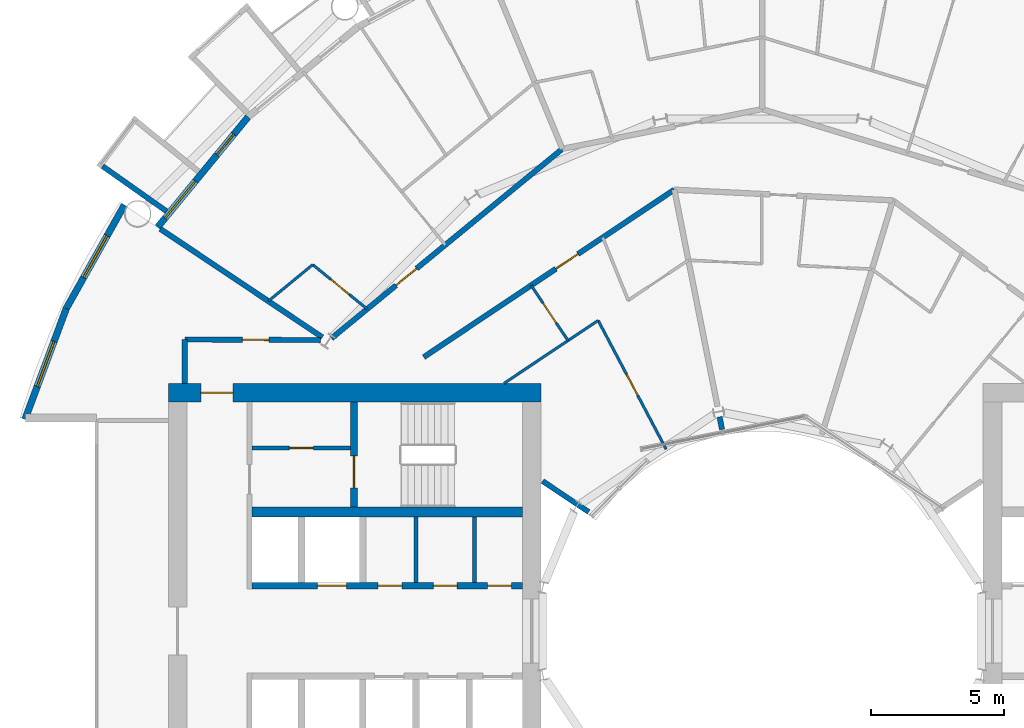
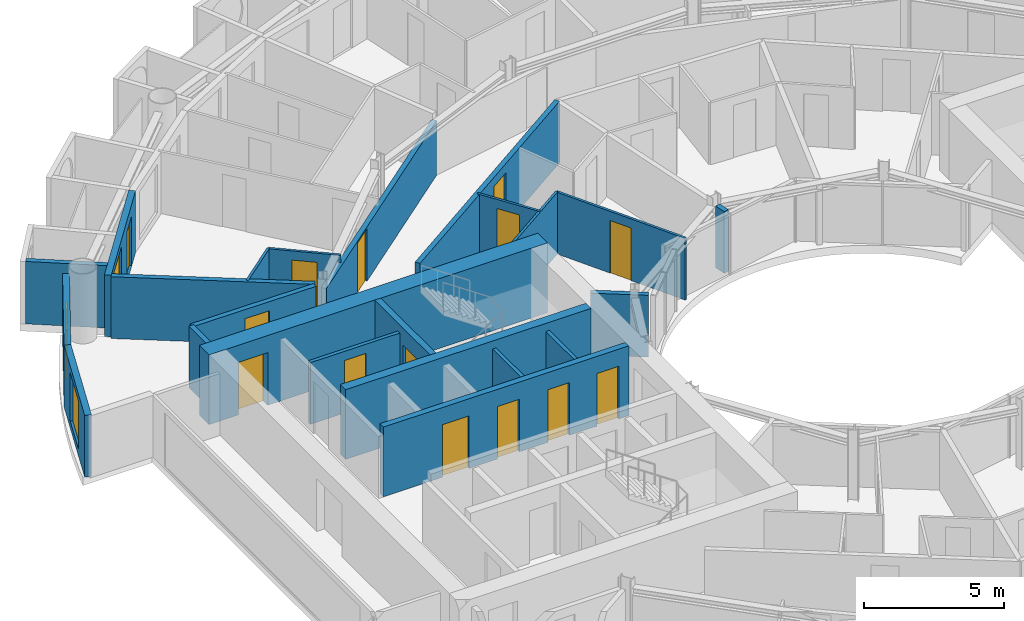
# One storey, part 18 of 26: 23 walls, 14 doors, 3 windows, 17 openings.
"""IFC4 building model written with IfcOpenShell, lengths in metres."""

import ifcopenshell
import ifcopenshell.guid

model = None  # the IFC model being written
_history = None  # IfcOwnerHistory: only IFC2X3 demands one
_inside = {}  # id of a spatial element -> (the spatial element, [elements in it])
_under = {}  # id of a project, library or spatial element -> (it, [spatial elements below it])
_declared = {}  # id of a project -> (the project, [libraries it declares])
_typed = {}  # id of a type object -> (the type object, [elements of that type])
_made_of = {}  # id of a material, layer set ... -> (it, [elements and type objects made of it])


def new_model(schema):
    """Start an empty IFC model of exactly this schema.

    Asked for "IFC4X3", IfcOpenShell would pick the latest addendum, in which some entities
    have other attributes; the version numbers below select the first issue.
    IFC2X3 requires an IfcOwnerHistory on every rooted entity: one is made here for all.
    """
    global model, _history
    if schema == "IFC4X3":
        model = ifcopenshell.file(schema_version=(4, 3, 0, 0))
    else:
        model = ifcopenshell.file(schema=schema)
    _inside.clear()
    _under.clear()
    _declared.clear()
    _typed.clear()
    _made_of.clear()
    _history = None
    if model.schema == "IFC2X3":
        org = make("IfcOrganization", Name="unknown")
        user = make(
            "IfcPersonAndOrganization",
            ThePerson=make("IfcPerson", FamilyName="unknown"),
            TheOrganization=org,
        )
        app = make(
            "IfcApplication",
            ApplicationDeveloper=org,
            Version="unknown",
            ApplicationFullName="unknown",
            ApplicationIdentifier="unknown",
        )
        _history = make(
            "IfcOwnerHistory",
            OwningUser=user,
            OwningApplication=app,
            ChangeAction="ADDED",
            CreationDate=0,
        )
    return model


def make(cls, **values):
    """One entity of the class cls with the attributes given. An attribute that is None is left unset."""
    return model.create_entity(
        cls, **{name: value for name, value in values.items() if value is not None}
    )


def rooted(cls, **values):
    """An entity with a GlobalId (a new one), such as an element, a storey or a relation."""
    return make(cls, GlobalId=ifcopenshell.guid.new(), OwnerHistory=_history, **values)


def si_unit(unit_type, name, prefix=None):
    """IfcSIUnit, for example si_unit("LENGTHUNIT", "METRE", prefix="MILLI")."""
    return make("IfcSIUnit", UnitType=unit_type, Prefix=prefix, Name=name)


def assignment(units):
    """IfcUnitAssignment: the units of a project."""
    return None if units is None else make("IfcUnitAssignment", Units=units)


def point(xyz):
    """IfcCartesianPoint."""
    return None if xyz is None else make("IfcCartesianPoint", Coordinates=xyz)


def direction(xyz):
    """IfcDirection."""
    return None if xyz is None else make("IfcDirection", DirectionRatios=xyz)


def frame(location, z_axis=None, x_axis=None):
    """IfcAxis2Placement3D, a coordinate frame: its origin and axes. An axis left out is left unset."""
    return make(
        "IfcAxis2Placement3D",
        Location=point(location),
        Axis=direction(z_axis),
        RefDirection=direction(x_axis),
    )


def frame_2d(location, x_axis=None):
    """IfcAxis2Placement2D, a coordinate frame in the plane: its origin and x axis."""
    return make(
        "IfcAxis2Placement2D", Location=point(location), RefDirection=direction(x_axis)
    )


def origin():
    """The frame at (0, 0, 0) with its axes left unset."""
    return frame((0.0, 0.0, 0.0))


def place(relative_to, where):
    """IfcLocalPlacement: puts the frame where relative to a parent placement (None: the world)."""
    return make(
        "IfcLocalPlacement", PlacementRelTo=relative_to, RelativePlacement=where
    )


def context(
    kind, dimensions, precision=None, world=None, true_north=None, identifier=None
):
    """IfcGeometricRepresentationContext, for example the 3D "Model" context."""
    return make(
        "IfcGeometricRepresentationContext",
        ContextIdentifier=identifier,
        ContextType=kind,
        CoordinateSpaceDimension=dimensions,
        Precision=precision,
        WorldCoordinateSystem=world,
        TrueNorth=true_north,
    )


def subcontext(parent, identifier, kind, view, scale=None):
    """IfcGeometricRepresentationSubContext, for example "Body" below "Model"."""
    return make(
        "IfcGeometricRepresentationSubContext",
        ContextIdentifier=identifier,
        ContextType=kind,
        ParentContext=parent,
        TargetScale=scale,
        TargetView=view,
    )


def project(units=None, contexts=None):
    """IfcProject with its units and contexts."""
    return rooted(
        "IfcProject",
        Name="project",
        RepresentationContexts=contexts,
        UnitsInContext=assignment(units),
    )


def spatial(cls, under=None, at=None, **own):
    """A site, building, storey or space (cls), placed at a placement, below another one or the project."""
    s = rooted(cls, ObjectPlacement=at, **own)
    if under is not None:
        _under.setdefault(under.id(), (under, []))[1].append(s)
    return s


def profile(cls, at=None, kind="AREA", **sizes):
    """A parametric profile (cls). Its sizes go by their IFC names, for example OverallWidth=200.0."""
    return make(cls, ProfileType=kind, Position=at, **sizes)


def rectangle(**sizes):
    """IfcRectangleProfileDef."""
    return profile("IfcRectangleProfileDef", **sizes)


def extrude(swept, where, along, depth):
    """IfcExtrudedAreaSolid: the profile swept, set in the frame where, extruded along a direction by depth."""
    return make(
        "IfcExtrudedAreaSolid",
        SweptArea=swept,
        Position=where,
        ExtrudedDirection=direction(along),
        Depth=depth,
    )


def shape(context_of_items, identifier, shape_type, items):
    """IfcShapeRepresentation: the items that make up one representation, for example the "Body"."""
    return make(
        "IfcShapeRepresentation",
        ContextOfItems=context_of_items,
        RepresentationIdentifier=identifier,
        RepresentationType=shape_type,
        Items=items,
    )


def material(Name=None, Category=None):
    """IfcMaterial."""
    return make("IfcMaterial", Name=Name, Category=Category)


def layer(
    of_material, thickness, ventilated=None, Name=None, Category=None, Priority=None
):
    """IfcMaterialLayer: one layer of a wall or slab, of a material (None: an air gap)."""
    return make(
        "IfcMaterialLayer",
        Material=of_material,
        LayerThickness=thickness,
        IsVentilated=ventilated,
        Name=Name,
        Category=Category,
        Priority=Priority,
    )


def layer_set(layers, Name=None):
    """IfcMaterialLayerSet."""
    return make("IfcMaterialLayerSet", MaterialLayers=layers, LayerSetName=Name)


def made_of(thing, what):
    """Note that an element or type object is made of a material, layer set ...; save() writes the relation."""
    if what is not None:
        _made_of.setdefault(what.id(), (what, []))[1].append(thing)
    return thing


def type_object(cls, material=None, **own):
    """A type object (cls), such as IfcWallType, which elements share."""
    return made_of(rooted(cls, **own), material)


def element(
    cls,
    number,
    at=None,
    inside=None,
    cuts=None,
    type_object=None,
    material=None,
    context=None,
    identifier="Body",
    shape_type=None,
    held_by="IfcProductDefinitionShape",
    body=None,
    shapes=None,
    **own,
):
    """One element of the class cls, such as IfcWall. Its Tag is "e" and its number.

    at: its placement. inside: the storey or other place that contains it. cuts: it is an
    opening in that element (IfcRelVoidsElement). A single representation is given by context,
    identifier, shape_type and body (its items); several are given by shapes. held_by: the class
    of the entity that holds the representations. save() writes the other relations.
    """
    e = rooted(cls, Tag="e%d" % number, ObjectPlacement=at, **own)
    if body is not None:
        shapes = [shape(context, identifier, shape_type, body)]
    if shapes is not None:
        e.Representation = make(held_by, Representations=shapes)
    if inside is not None:
        _inside.setdefault(inside.id(), (inside, []))[1].append(e)
    if cuts is not None:
        rooted(
            "IfcRelVoidsElement", RelatingBuildingElement=cuts, RelatedOpeningElement=e
        )
    if type_object is not None:
        _typed.setdefault(type_object.id(), (type_object, []))[1].append(e)
    return made_of(e, material)


def fill(opening, filler):
    """IfcRelFillsElement: the door or window that sits in an opening."""
    return rooted(
        "IfcRelFillsElement",
        RelatingOpeningElement=opening,
        RelatedBuildingElement=filler,
    )


def aggregate(whole, parts):
    """IfcRelAggregates: a whole, such as a stair, and the parts it consists of."""
    return rooted("IfcRelAggregates", RelatingObject=whole, RelatedObjects=parts)


def save(model, path):
    """Write the relations noted so far, then the file.

    IfcRelAggregates (storeys below a building ...), IfcRelContainedInSpatialStructure (elements
    in a storey), IfcRelDefinesByType, IfcRelAssociatesMaterial and IfcRelDeclares: one each for
    every whole, place, type object, material and project.
    """
    for whole, parts in _under.values():
        aggregate(whole, parts)
    for where, things in _inside.values():
        rooted(
            "IfcRelContainedInSpatialStructure",
            RelatedElements=things,
            RelatingStructure=where,
        )
    for kind, things in _typed.values():
        rooted("IfcRelDefinesByType", RelatedObjects=things, RelatingType=kind)
    for what, things in _made_of.values():
        rooted("IfcRelAssociatesMaterial", RelatedObjects=things, RelatingMaterial=what)
    for by, libraries in _declared.values():
        rooted("IfcRelDeclares", RelatingContext=by, RelatedDefinitions=libraries)
    model.write(path)


model = new_model("IFC4")

# Units and contexts
model_context = context("Model", 3, precision=1e-05, world=origin(), true_north=direction((0.0, 1.0)))
body_context = subcontext(model_context, "Body", "Model", "MODEL_VIEW")
ifc_project = project(units=[si_unit("LENGTHUNIT", "METRE"), si_unit("AREAUNIT", "SQUARE_METRE"), si_unit("VOLUMEUNIT", "CUBIC_METRE"), si_unit("PLANEANGLEUNIT", "RADIAN"), si_unit("MASSUNIT", "GRAM", prefix="KILO")], contexts=[model_context])

# Site, building, storey
site_placement = place(None, origin())
site = spatial("IfcSite", under=ifc_project, at=site_placement, CompositionType="ELEMENT")
building_placement = place(site_placement, origin())
building = spatial("IfcBuilding", under=site, at=building_placement, Name="Maasbend Ring Residences", CompositionType="ELEMENT")
storey_placement = place(building_placement, frame((0.0, 0.0, 88.0)))
storey = spatial("IfcBuildingStorey", under=building, at=storey_placement, Name="L25", CompositionType="ELEMENT", Elevation=88.0)

# Wall, openings, doors
ifc_material_1 = material(Name="Concrete C70/85", Category="concrete")
ifc_layer_1 = layer(ifc_material_1, 0.25)
ifc_layer_set_1 = layer_set([ifc_layer_1], Name="Concrete C70/85")
wall_type_1 = type_object("IfcWallType", Name="CORE WALL 250 C70/85", PredefinedType="SHEAR", material=ifc_layer_set_1)
wall_1_placement = place(storey_placement, frame((-19.14990234375, 1.699951171875, 0.0), z_axis=(0.0, 0.0, 1.0), x_axis=(1.0, 0.0, 0.0)))
wall_1 = element("IfcWall", 1, at=wall_1_placement, inside=storey, type_object=wall_type_1, Name="L25 core W wall SPS", PredefinedType="SHEAR", context=body_context, shape_type="SweptSolid", body=[
    extrude(rectangle(XDim=10.14990234375, YDim=0.25, at=frame_2d((5.074951171875, 0.0))), origin(), (0.0, 0.0, 1.0), 3.050048828125),
])
opening_1_placement = place(wall_1_placement, frame((2.449951171875, 0.0, 0.0)))
opening_1 = element("IfcOpeningElement", 2, at=opening_1_placement, cuts=wall_1, Name="Opening LD-W2505", PredefinedType="OPENING", context=body_context, shape_type="SweptSolid", body=[
    extrude(rectangle(XDim=1.10009765625, YDim=2.300048828125, at=frame_2d((0.550048828125, 1.14990234375))), frame((0.0, 0.135009765625, 0.0), z_axis=(0.0, -1.0, 0.0), x_axis=(1.0, 0.0, 0.0)), (0.0, 0.0, 1.0), 0.27001953125),
])
opening_2_placement = place(wall_1_placement, frame((8.83740234375, 0.0, 0.0)))
opening_2 = element("IfcOpeningElement", 3, at=opening_2_placement, cuts=wall_1, Name="Opening D-W2506", PredefinedType="OPENING", context=body_context, shape_type="SweptSolid", body=[
    extrude(rectangle(XDim=0.89990234375, YDim=2.300048828125, at=frame_2d((0.449951171875, 1.14990234375))), frame((0.0, 0.135009765625, 0.0), z_axis=(0.0, -1.0, 0.0), x_axis=(1.0, 0.0, 0.0)), (0.0, 0.0, 1.0), 0.27001953125),
])
opening_3_placement = place(wall_1_placement, frame((6.800048828125, 0.0, 0.0)))
opening_3 = element("IfcOpeningElement", 4, at=opening_3_placement, cuts=wall_1, Name="Opening D-W2507", PredefinedType="OPENING", context=body_context, shape_type="SweptSolid", body=[
    extrude(rectangle(XDim=0.89990234375, YDim=2.300048828125, at=frame_2d((0.449951171875, 1.14990234375))), frame((0.0, 0.135009765625, 0.0), z_axis=(0.0, -1.0, 0.0), x_axis=(1.0, 0.0, 0.0)), (0.0, 0.0, 1.0), 0.27001953125),
])
opening_4_placement = place(wall_1_placement, frame((4.72509765625, 0.0, 0.0)))
opening_4 = element("IfcOpeningElement", 5, at=opening_4_placement, cuts=wall_1, Name="Opening D-W2508", PredefinedType="OPENING", context=body_context, shape_type="SweptSolid", body=[
    extrude(rectangle(XDim=0.89990234375, YDim=2.300048828125, at=frame_2d((0.449951171875, 1.14990234375))), frame((0.0, 0.135009765625, 0.0), z_axis=(0.0, -1.0, 0.0), x_axis=(1.0, 0.0, 0.0)), (0.0, 0.0, 1.0), 0.27001953125),
])
ifc_material_2 = material(Name="Stainless steel 316", Category="steel")
door_type_1 = type_object("IfcDoorType", Name="LANDING DOOR 1100 X 2300 FD60", OperationType="DOUBLE_DOOR_SLIDING", PredefinedType="DOOR", material=ifc_material_2)
door_1_placement = place(opening_1_placement, origin())
door_1 = element("IfcDoor", 6, at=door_1_placement, inside=storey, type_object=door_type_1, Name="Landing door SV-W L25", OperationType="DOUBLE_DOOR_SLIDING", OverallHeight=2.300048828125, OverallWidth=1.10009765625, PredefinedType="DOOR", context=body_context, shape_type="SweptSolid", body=[
    extrude(rectangle(XDim=1.10009765625, YDim=2.300048828125, at=frame_2d((0.550048828125, 1.14990234375))), frame((0.0, 0.02490234375, 0.0), z_axis=(0.0, -1.0, 0.0), x_axis=(1.0, 0.0, 0.0)), (0.0, 0.0, 1.0), 0.050048828125),
])
fill(opening_1, door_1)
ifc_material_3 = material(Name="Steel, powder coated", Category="steel")
door_type_2 = type_object("IfcDoorType", Name="ROOM DOOR 900 X 2300 FD30S", OperationType="NOTDEFINED", PredefinedType="DOOR", material=ifc_material_3)
door_2_placement = place(opening_2_placement, origin())
door_2 = element("IfcDoor", 7, at=door_2_placement, inside=storey, type_object=door_type_2, Name="Room door L25", OperationType="SINGLE_SWING_LEFT", OverallHeight=2.300048828125, OverallWidth=0.89990234375, PredefinedType="DOOR", context=body_context, shape_type="SweptSolid", body=[
    extrude(rectangle(XDim=0.89990234375, YDim=2.300048828125, at=frame_2d((0.449951171875, 1.14990234375))), frame((0.0, 0.02490234375, 0.0), z_axis=(0.0, -1.0, 0.0), x_axis=(1.0, 0.0, 0.0)), (0.0, 0.0, 1.0), 0.050048828125),
])
fill(opening_2, door_2)
door_3_placement = place(opening_3_placement, origin())
door_3 = element("IfcDoor", 8, at=door_3_placement, inside=storey, type_object=door_type_2, Name="Room door L25", OperationType="SINGLE_SWING_LEFT", OverallHeight=2.300048828125, OverallWidth=0.89990234375, PredefinedType="DOOR", context=body_context, shape_type="SweptSolid", body=[
    extrude(rectangle(XDim=0.89990234375, YDim=2.300048828125, at=frame_2d((0.449951171875, 1.14990234375))), frame((0.0, 0.02490234375, 0.0), z_axis=(0.0, -1.0, 0.0), x_axis=(1.0, 0.0, 0.0)), (0.0, 0.0, 1.0), 0.050048828125),
])
fill(opening_3, door_3)
door_4_placement = place(opening_4_placement, origin())
door_4 = element("IfcDoor", 9, at=door_4_placement, inside=storey, type_object=door_type_2, Name="Room door L25", OperationType="SINGLE_SWING_LEFT", OverallHeight=2.300048828125, OverallWidth=0.89990234375, PredefinedType="DOOR", context=body_context, shape_type="SweptSolid", body=[
    extrude(rectangle(XDim=0.89990234375, YDim=2.300048828125, at=frame_2d((0.449951171875, 1.14990234375))), frame((0.0, 0.02490234375, 0.0), z_axis=(0.0, -1.0, 0.0), x_axis=(1.0, 0.0, 0.0)), (0.0, 0.0, 1.0), 0.050048828125),
])
fill(opening_4, door_4)

# Wall, opening, door
wall_2_placement = place(storey_placement, frame((-15.324951171875, 8.60009765625, 0.0), z_axis=(0.0, 0.0, 1.0), x_axis=(0.0, -1.0, 0.0)))
wall_2 = element("IfcWall", 10, at=wall_2_placement, inside=storey, type_object=wall_type_1, Name="L25 core W wall STES", PredefinedType="SHEAR", context=body_context, shape_type="SweptSolid", body=[
    extrude(rectangle(XDim=3.9501953125, YDim=0.25, at=frame_2d((1.97509765625, 0.0))), origin(), (0.0, 0.0, 1.0), 3.050048828125),
])
opening_5_placement = place(wall_2_placement, frame((2.02490234375, 0.0, 0.0)))
opening_5 = element("IfcOpeningElement", 11, at=opening_5_placement, cuts=wall_2, Name="Opening D-W2511", PredefinedType="OPENING", context=body_context, shape_type="SweptSolid", body=[
    extrude(rectangle(XDim=1.199951171875, YDim=2.300048828125, at=frame_2d((0.60009765625, 1.14990234375))), frame((0.0, 0.135009765625, 0.0), z_axis=(0.0, -1.0, 0.0), x_axis=(1.0, 0.0, 0.0)), (0.0, 0.0, 1.0), 0.27001953125),
])
ifc_material_4 = material(Name="Steel, powder coated", Category="steel")
door_type_3 = type_object("IfcDoorType", Name="STAIR DOOR 1200 X 2300 FD60", OperationType="NOTDEFINED", PredefinedType="DOOR", material=ifc_material_4)
door_5_placement = place(opening_5_placement, origin())
door_5 = element("IfcDoor", 12, at=door_5_placement, inside=storey, type_object=door_type_3, Name="Stair door ST-W L25", OperationType="SINGLE_SWING_LEFT", OverallHeight=2.300048828125, OverallWidth=1.199951171875, PredefinedType="DOOR", context=body_context, shape_type="SweptSolid", body=[
    extrude(rectangle(XDim=1.199951171875, YDim=2.300048828125, at=frame_2d((0.60009765625, 1.14990234375))), frame((0.0, 0.02490234375, 0.0), z_axis=(0.0, -1.0, 0.0), x_axis=(1.0, 0.0, 0.0)), (0.0, 0.0, 1.0), 0.050048828125),
])
fill(opening_5, door_5)

# Wall
ifc_material_5 = material(Name="Concrete C70/85", Category="concrete")
ifc_layer_2 = layer(ifc_material_5, 0.375)
ifc_layer_set_2 = layer_set([ifc_layer_2], Name="Concrete C70/85")
wall_type_2 = type_object("IfcWallType", Name="CORE WALL 375 C70/85", PredefinedType="SHEAR", material=ifc_layer_set_2)
wall_3_placement = place(storey_placement, frame((-9.0, 4.46240234375, 0.0), z_axis=(0.0, 0.0, 1.0), x_axis=(-1.0, 0.0, 0.0)))
element("IfcWall", 13, at=wall_3_placement, inside=storey, type_object=wall_type_2, Name="L25 core W wall BS", PredefinedType="SHEAR", context=body_context, shape_type="SweptSolid", body=[
    extrude(rectangle(XDim=10.14990234375, YDim=0.375, at=frame_2d((5.074951171875, 0.0))), origin(), (0.0, 0.0, 1.0), 3.050048828125),
])

# Wall, opening, door
ifc_material_6 = material(Name="Concrete C70/85", Category="concrete")
ifc_layer_3 = layer(ifc_material_6, 0.699951171875)
ifc_layer_set_3 = layer_set([ifc_layer_3], Name="Concrete C70/85")
wall_type_3 = type_object("IfcWallType", Name="CORE WALL 700 C70/85", PredefinedType="SHEAR", material=ifc_layer_set_3)
wall_4_placement = place(storey_placement, frame((-8.300048828125, 8.949951171875, 0.0), z_axis=(0.0, 0.0, 1.0), x_axis=(-1.0, 0.0, 0.0)))
wall_4 = element("IfcWall", 14, at=wall_4_placement, inside=storey, type_object=wall_type_3, Name="L25 core W wall PS", PredefinedType="SHEAR", context=body_context, shape_type="SweptSolid", body=[
    extrude(rectangle(XDim=14.0, YDim=0.699951171875, at=frame_2d((7.0, 0.0))), origin(), (0.0, 0.0, 1.0), 3.050048828125),
])
opening_6_placement = place(wall_4_placement, frame((11.574951171875, 0.0, 0.0)))
opening_6 = element("IfcOpeningElement", 15, at=opening_6_placement, cuts=wall_4, Name="Opening D-W2515", PredefinedType="OPENING", context=body_context, shape_type="SweptSolid", body=[
    extrude(rectangle(XDim=1.199951171875, YDim=2.300048828125, at=frame_2d((0.60009765625, 1.14990234375))), frame((0.0, 0.35986328125, 0.0), z_axis=(0.0, -1.0, 0.0), x_axis=(1.0, 0.0, 0.0)), (0.0, 0.0, 1.0), 0.719970703125),
])
ifc_material_7 = material(Name="Steel, powder coated", Category="steel")
door_type_4 = type_object("IfcDoorType", Name="CORRIDOR DOOR 1200 X 2300 FD30S", OperationType="NOTDEFINED", PredefinedType="DOOR", material=ifc_material_7)
door_6_placement = place(opening_6_placement, origin())
door_6 = element("IfcDoor", 16, at=door_6_placement, inside=storey, type_object=door_type_4, Name="Corridor door L25", OperationType="SINGLE_SWING_LEFT", OverallHeight=2.300048828125, OverallWidth=1.199951171875, PredefinedType="DOOR", context=body_context, shape_type="SweptSolid", body=[
    extrude(rectangle(XDim=1.199951171875, YDim=2.300048828125, at=frame_2d((0.60009765625, 1.14990234375))), frame((0.0, 0.02490234375, 0.0), z_axis=(0.0, -1.0, 0.0), x_axis=(1.0, 0.0, 0.0)), (0.0, 0.0, 1.0), 0.050048828125),
])
fill(opening_6, door_6)

ifc_material_8 = material(Name="Concrete C30/37", Category="concrete")
ifc_layer_4 = layer(ifc_material_8, 0.199951171875)
ifc_layer_set_4 = layer_set([ifc_layer_4], Name="Concrete C30/37")
wall_type_4 = type_object("IfcWallType", Name="CORRIDOR WALL 200 CONCRETE", PredefinedType="PARTITIONING", material=ifc_layer_set_4)
wall_5_placement = place(storey_placement, frame((-21.675048828125, 10.949951171875, 0.0), z_axis=(0.0, 0.0, 1.0), x_axis=(0.999988944514, -0.004702217579, 0.0)))
wall_5 = element("IfcWall", 17, at=wall_5_placement, inside=storey, type_object=wall_type_4, Name="U-L25-w088", PredefinedType="PARTITIONING", context=body_context, shape_type="SweptSolid", body=[
    extrude(rectangle(XDim=5.088134765625, YDim=0.199951171875, at=frame_2d((2.5439453125, 0.0))), origin(), (0.0, 0.0, 1.0), 2.699951171875),
])
opening_7_placement = place(wall_5_placement, frame((2.162109375, 0.0, 0.0)))
opening_7 = element("IfcOpeningElement", 18, at=opening_7_placement, cuts=wall_5, Name="Opening D-2564", PredefinedType="OPENING", context=body_context, shape_type="SweptSolid", body=[
    extrude(rectangle(XDim=1.0, YDim=2.300048828125, at=frame_2d((0.5, 1.14990234375))), frame((0.0, 0.10986328125, 0.0), z_axis=(0.0, -1.0, 0.0), x_axis=(1.0, 0.0, 0.0)), (0.0, 0.0, 1.0), 0.219970703125),
])
ifc_material_9 = material(Name="Timber, painted", Category="wood")
door_type_5 = type_object("IfcDoorType", Name="ROOM DOOR 1000 X 2300", OperationType="NOTDEFINED", PredefinedType="DOOR", material=ifc_material_9)
door_7_placement = place(opening_7_placement, origin())
door_7 = element("IfcDoor", 19, at=door_7_placement, inside=storey, type_object=door_type_5, Name="D-2564", OperationType="SINGLE_SWING_RIGHT", OverallHeight=2.300048828125, OverallWidth=1.0, PredefinedType="DOOR", context=body_context, shape_type="SweptSolid", body=[
    extrude(rectangle(XDim=1.0, YDim=2.300048828125, at=frame_2d((0.5, 1.14990234375))), frame((0.0, 0.02490234375, 0.0), z_axis=(0.0, -1.0, 0.0), x_axis=(1.0, 0.0, 0.0)), (0.0, 0.0, 1.0), 0.050048828125),
])
fill(opening_7, door_7)

wall_6_placement = place(storey_placement, frame((-12.7080078125, 10.285888671875, 0.0), z_axis=(0.0, 0.0, 1.0), x_axis=(0.831405725802, 0.555665834026, 0.0)))
wall_6 = element("IfcWall", 20, at=wall_6_placement, inside=storey, type_object=wall_type_4, Name="U-L25-w095", PredefinedType="PARTITIONING", context=body_context, shape_type="SweptSolid", body=[
    extrude(rectangle(XDim=11.314453125, YDim=0.199951171875, at=frame_2d((5.6572265625, 0.0))), origin(), (0.0, 0.0, 1.0), 2.699951171875),
])
opening_8_placement = place(wall_6_placement, frame((5.968994140625, 0.0, 0.0)))
opening_8 = element("IfcOpeningElement", 21, at=opening_8_placement, cuts=wall_6, Name="Opening D-2528", PredefinedType="OPENING", context=body_context, shape_type="SweptSolid", body=[
    extrude(rectangle(XDim=1.0, YDim=2.300048828125, at=frame_2d((0.5, 1.14990234375))), frame((0.0, 0.10986328125, 0.0), z_axis=(0.0, -1.0, 0.0), x_axis=(1.0, 0.0, 0.0)), (0.0, 0.0, 1.0), 0.219970703125),
])
ifc_material_10 = material(Name="Timber, fire-rated, painted", Category="wood")
door_type_6 = type_object("IfcDoorType", Name="FLAT ENTRANCE DOOR 1000 X 2300 FIRE-RATED", OperationType="NOTDEFINED", PredefinedType="DOOR", material=ifc_material_10)
door_8_placement = place(opening_8_placement, origin())
door_8 = element("IfcDoor", 22, at=door_8_placement, inside=storey, type_object=door_type_6, Name="D-2528", OperationType="SINGLE_SWING_RIGHT", OverallHeight=2.300048828125, OverallWidth=1.0, PredefinedType="DOOR", context=body_context, shape_type="SweptSolid", body=[
    extrude(rectangle(XDim=1.0, YDim=2.300048828125, at=frame_2d((0.5, 1.14990234375))), frame((0.0, 0.02490234375, 0.0), z_axis=(0.0, -1.0, 0.0), x_axis=(1.0, 0.0, 0.0)), (0.0, 0.0, 1.0), 0.050048828125),
])
fill(opening_8, door_8)

wall_7_placement = place(storey_placement, frame((-16.173095703125, 10.990966796875, 0.0), z_axis=(0.0, 0.0, 1.0), x_axis=(0.773049018445, 0.634346289562, 0.0)))
wall_7 = element("IfcWall", 23, at=wall_7_placement, inside=storey, type_object=wall_type_4, Name="U-L25-w099", PredefinedType="PARTITIONING", context=body_context, shape_type="SweptSolid", body=[
    extrude(rectangle(XDim=11.21923828125, YDim=0.199951171875, at=frame_2d((5.609619140625, 0.0))), origin(), (0.0, 0.0, 1.0), 2.3798828125),
])
opening_9_placement = place(wall_7_placement, frame((3.135009765625, 0.0, 0.0)))
opening_9 = element("IfcOpeningElement", 24, at=opening_9_placement, cuts=wall_7, Name="Opening D-2515", PredefinedType="OPENING", context=body_context, shape_type="SweptSolid", body=[
    extrude(rectangle(XDim=1.0, YDim=2.300048828125, at=frame_2d((0.5, 1.14990234375))), frame((0.0, 0.10986328125, 0.0), z_axis=(0.0, -1.0, 0.0), x_axis=(1.0, 0.0, 0.0)), (0.0, 0.0, 1.0), 0.219970703125),
])
door_9_placement = place(opening_9_placement, origin())
door_9 = element("IfcDoor", 25, at=door_9_placement, inside=storey, type_object=door_type_6, Name="D-2515", OperationType="SINGLE_SWING_LEFT", OverallHeight=2.300048828125, OverallWidth=1.0, PredefinedType="DOOR", context=body_context, shape_type="SweptSolid", body=[
    extrude(rectangle(XDim=1.0, YDim=2.300048828125, at=frame_2d((0.5, 1.14990234375))), frame((0.0, 0.02490234375, 0.0), z_axis=(0.0, -1.0, 0.0), x_axis=(1.0, 0.0, 0.0)), (0.0, 0.0, 1.0), 0.050048828125),
])
fill(opening_9, door_9)

# Walls
wall_8_placement = place(storey_placement, frame((-21.675048828125, 9.300048828125, 0.0), z_axis=(0.0, 0.0, 1.0), x_axis=(0.0, 1.0, 0.0)))
element("IfcWall", 26, at=wall_8_placement, inside=storey, type_object=wall_type_4, Name="U-L25-w107", PredefinedType="PARTITIONING", context=body_context, shape_type="SweptSolid", body=[
    extrude(rectangle(XDim=1.64990234375, YDim=0.199951171875, at=frame_2d((0.824951171875, 0.0))), origin(), (0.0, 0.0, 1.0), 2.699951171875),
])
ifc_material_11 = material(Name="Pale anodised aluminium panel", Category="aluminium")
ifc_layer_5 = layer(ifc_material_11, 0.199951171875)
ifc_layer_set_5 = layer_set([ifc_layer_5], Name="EW-BOX")
wall_type_5 = type_object("IfcWallType", Name="EW-BOX", PredefinedType="SOLIDWALL", material=ifc_layer_set_5)
wall_9_placement = place(storey_placement, frame((-22.3701171875, 15.764892578125, -0.030029296875), z_axis=(0.0, 0.0, 1.0), x_axis=(-0.817256123454, 0.576274612209, 0.0)))
element("IfcWall", 27, at=wall_9_placement, inside=storey, type_object=wall_type_5, Name="Box side wall N20 right", PredefinedType="SOLIDWALL", context=body_context, shape_type="SweptSolid", body=[
    extrude(rectangle(XDim=2.932861328125, YDim=0.199951171875, at=frame_2d((1.46630859375, 0.0))), origin(), (0.0, 0.0, 1.0), 2.72998046875),
])

# Wall, openings, door, window
ifc_material_12 = material(Name="Aluminium clad insulated panel", Category="aluminium")
ifc_layer_6 = layer(ifc_material_12, 0.25)
ifc_layer_set_6 = layer_set([ifc_layer_6], Name="EW-GL")
wall_type_6 = type_object("IfcWallType", Name="EW-GL", PredefinedType="SOLIDWALL", material=ifc_layer_set_6)
wall_10_placement = place(storey_placement, frame((-19.303955078125, 19.303955078125, 0.0), z_axis=(0.0, 0.0, 1.0), x_axis=(-0.634382322723, -0.773019449054, 0.0)))
wall_10 = element("IfcWall", 28, at=wall_10_placement, inside=storey, type_object=wall_type_6, Name="External wall N10", PredefinedType="SOLIDWALL", context=body_context, shape_type="SweptSolid", body=[
    extrude(rectangle(XDim=5.351806640625, YDim=0.25, at=frame_2d((2.67578125, 0.0))), origin(), (0.0, 0.0, 1.0), 2.699951171875),
])
opening_10_placement = place(wall_10_placement, frame((0.841064453125, 0.0, 0.0)))
opening_10 = element("IfcOpeningElement", 29, at=opening_10_placement, cuts=wall_10, Name="Opening D-LG", PredefinedType="OPENING", context=body_context, shape_type="SweptSolid", body=[
    extrude(rectangle(XDim=1.0, YDim=2.199951171875, at=frame_2d((0.5, 1.10009765625))), frame((0.0, 0.135009765625, 0.0), z_axis=(0.0, -1.0, 0.0), x_axis=(1.0, 0.0, 0.0)), (0.0, 0.0, 1.0), 0.27001953125),
])
opening_11_placement = place(wall_10_placement, frame((3.110595703125, 0.0, 0.300048828125)))
opening_11 = element("IfcOpeningElement", 30, at=opening_11_placement, cuts=wall_10, Name="Opening W-BX", PredefinedType="OPENING", context=body_context, shape_type="SweptSolid", body=[
    extrude(rectangle(XDim=1.800048828125, YDim=2.10009765625, at=frame_2d((0.89990234375, 1.050048828125))), frame((0.0, 0.135009765625, 0.0), z_axis=(0.0, -1.0, 0.0), x_axis=(1.0, 0.0, 0.0)), (0.0, 0.0, 1.0), 0.27001953125),
])
ifc_material_13 = material(Name="Aluminium and clear glass", Category="aluminium")
door_type_7 = type_object("IfcDoorType", Name="D-LG", OperationType="SINGLE_SWING_LEFT", PredefinedType="DOOR", material=ifc_material_13)
door_10_placement = place(opening_10_placement, origin())
door_10 = element("IfcDoor", 31, at=door_10_placement, inside=storey, type_object=door_type_7, Name="Loggia door N19", OperationType="SINGLE_SWING_LEFT", OverallHeight=2.199951171875, OverallWidth=1.0, PredefinedType="DOOR", context=body_context, shape_type="SweptSolid", body=[
    extrude(rectangle(XDim=1.0, YDim=2.199951171875, at=frame_2d((0.5, 1.10009765625))), frame((0.0, 0.02490234375, 0.0), z_axis=(0.0, -1.0, 0.0), x_axis=(1.0, 0.0, 0.0)), (0.0, 0.0, 1.0), 0.050048828125),
])
fill(opening_10, door_10)
ifc_material_14 = material(Name="Aluminium and clear glass", Category="aluminium")
window_type = type_object("IfcWindowType", Name="W-BX", PartitioningType="DOUBLE_PANEL_VERTICAL", PredefinedType="WINDOW", material=ifc_material_14)
window_1_placement = place(opening_11_placement, origin())
window_1 = element("IfcWindow", 32, at=window_1_placement, inside=storey, type_object=window_type, Name="Window N20 room to box", OverallHeight=2.10009765625, OverallWidth=1.800048828125, PartitioningType="SINGLE_PANEL", PredefinedType="WINDOW", context=body_context, shape_type="SweptSolid", body=[
    extrude(rectangle(XDim=1.800048828125, YDim=2.10009765625, at=frame_2d((0.89990234375, 1.050048828125))), frame((0.0, 0.030029296875, 0.0), z_axis=(0.0, -1.0, 0.0), x_axis=(1.0, 0.0, 0.0)), (0.0, 0.0, 1.0), 0.06005859375),
])
fill(opening_11, window_1)

# Wall, opening, window
ifc_material_15 = material(Name="Aluminium clad insulated panel", Category="aluminium")
ifc_layer_7 = layer(ifc_material_15, 0.25)
ifc_layer_set_7 = layer_set([ifc_layer_7], Name="EW-HORN")
wall_type_7 = type_object("IfcWallType", Name="EW-HORN", PredefinedType="SOLIDWALL", material=ifc_layer_set_7)
wall_11_placement = place(storey_placement, frame((-23.946044921875, 16.0, 0.0), z_axis=(0.0, 0.0, 1.0), x_axis=(-0.489696356642, -0.871893042919, 0.0)))
wall_11 = element("IfcWall", 33, at=wall_11_placement, inside=storey, type_object=wall_type_7, Name="Horn wall 4.1", PredefinedType="SOLIDWALL", context=body_context, shape_type="SweptSolid", body=[
    extrude(rectangle(XDim=4.45361328125, YDim=0.25, at=frame_2d((2.226806640625, 0.0))), origin(), (0.0, 0.0, 1.0), 2.699951171875),
])
opening_12_placement = place(wall_11_placement, frame((1.32666015625, 0.0, 0.300048828125)))
opening_12 = element("IfcOpeningElement", 34, at=opening_12_placement, cuts=wall_11, Name="Opening W-BX", PredefinedType="OPENING", context=body_context, shape_type="SweptSolid", body=[
    extrude(rectangle(XDim=1.800048828125, YDim=2.10009765625, at=frame_2d((0.89990234375, 1.050048828125))), frame((0.0, 0.135009765625, 0.0), z_axis=(0.0, -1.0, 0.0), x_axis=(1.0, 0.0, 0.0)), (0.0, 0.0, 1.0), 0.27001953125),
])
window_2_placement = place(opening_12_placement, origin())
window_2 = element("IfcWindow", 35, at=window_2_placement, inside=storey, type_object=window_type, Name="Horn window 4.1", OverallHeight=2.10009765625, OverallWidth=1.800048828125, PartitioningType="SINGLE_PANEL", PredefinedType="WINDOW", context=body_context, shape_type="SweptSolid", body=[
    extrude(rectangle(XDim=1.800048828125, YDim=2.10009765625, at=frame_2d((0.89990234375, 1.050048828125))), frame((0.0, 0.030029296875, 0.0), z_axis=(0.0, -1.0, 0.0), x_axis=(1.0, 0.0, 0.0)), (0.0, 0.0, 1.0), 0.06005859375),
])
fill(opening_12, window_2)

wall_12_placement = place(storey_placement, frame((-26.126953125, 12.116943359375, 0.0), z_axis=(0.0, 0.0, 1.0), x_axis=(-0.349247811493, -0.937030397675, 0.0)))
wall_12 = element("IfcWall", 36, at=wall_12_placement, inside=storey, type_object=wall_type_7, Name="Horn wall 4.2", PredefinedType="SOLIDWALL", context=body_context, shape_type="SweptSolid", body=[
    extrude(rectangle(XDim=4.4521484375, YDim=0.25, at=frame_2d((2.22607421875, 0.0))), origin(), (0.0, 0.0, 1.0), 2.699951171875),
])
opening_13_placement = place(wall_12_placement, frame((1.32666015625, 0.0, 0.300048828125)))
opening_13 = element("IfcOpeningElement", 37, at=opening_13_placement, cuts=wall_12, Name="Opening W-BX", PredefinedType="OPENING", context=body_context, shape_type="SweptSolid", body=[
    extrude(rectangle(XDim=1.800048828125, YDim=2.10009765625, at=frame_2d((0.89990234375, 1.050048828125))), frame((0.0, 0.135009765625, 0.0), z_axis=(0.0, -1.0, 0.0), x_axis=(1.0, 0.0, 0.0)), (0.0, 0.0, 1.0), 0.27001953125),
])
window_3_placement = place(opening_13_placement, origin())
window_3 = element("IfcWindow", 38, at=window_3_placement, inside=storey, type_object=window_type, Name="Horn window 4.2", OverallHeight=2.10009765625, OverallWidth=1.800048828125, PartitioningType="SINGLE_PANEL", PredefinedType="WINDOW", context=body_context, shape_type="SweptSolid", body=[
    extrude(rectangle(XDim=1.800048828125, YDim=2.10009765625, at=frame_2d((0.89990234375, 1.050048828125))), frame((0.0, 0.030029296875, 0.0), z_axis=(0.0, -1.0, 0.0), x_axis=(1.0, 0.0, 0.0)), (0.0, 0.0, 1.0), 0.06005859375),
])
fill(opening_13, window_3)

# Wall, opening, door
ifc_material_16 = material(Name="Gypsum board on steel studs", Category="steel")
ifc_layer_8 = layer(ifc_material_16, 0.10009765625)
ifc_layer_set_8 = layer_set([ifc_layer_8], Name="PARTITION 100 GYPSUM")
wall_type_8 = type_object("IfcWallType", Name="PARTITION 100 GYPSUM", PredefinedType="PARTITIONING", material=ifc_layer_set_8)
wall_13_placement = place(storey_placement, frame((-16.8740234375, 13.758056640625, 0.0), z_axis=(0.0, 0.0, 1.0), x_axis=(0.774979608522, -0.631986239072, 0.0)))
wall_13 = element("IfcWall", 39, at=wall_13_placement, inside=storey, type_object=wall_type_8, Name="U-L25-w034", PredefinedType="PARTITIONING", context=body_context, shape_type="SweptSolid", body=[
    extrude(rectangle(XDim=2.63623046875, YDim=0.10009765625, at=frame_2d((1.318115234375, 0.0))), origin(), (0.0, 0.0, 1.0), 2.699951171875),
])
opening_14_placement = place(wall_13_placement, frame((0.867919921875, 0.0, 0.0)))
opening_14 = element("IfcOpeningElement", 40, at=opening_14_placement, cuts=wall_13, Name="Opening D-2516", PredefinedType="OPENING", context=body_context, shape_type="SweptSolid", body=[
    extrude(rectangle(XDim=0.89990234375, YDim=2.300048828125, at=frame_2d((0.449951171875, 1.14990234375))), frame((0.0, 0.06005859375, 0.0), z_axis=(0.0, -1.0, 0.0), x_axis=(1.0, 0.0, 0.0)), (0.0, 0.0, 1.0), 0.1201171875),
])
ifc_material_17 = material(Name="Timber, painted", Category="wood")
door_type_8 = type_object("IfcDoorType", Name="INTERNAL DOOR 900 X 2300", OperationType="NOTDEFINED", PredefinedType="DOOR", material=ifc_material_17)
door_11_placement = place(opening_14_placement, origin())
door_11 = element("IfcDoor", 41, at=door_11_placement, inside=storey, type_object=door_type_8, Name="D-2516", OperationType="SINGLE_SWING_LEFT", OverallHeight=2.300048828125, OverallWidth=0.89990234375, PredefinedType="DOOR", context=body_context, shape_type="SweptSolid", body=[
    extrude(rectangle(XDim=0.89990234375, YDim=2.300048828125, at=frame_2d((0.449951171875, 1.14990234375))), frame((0.0, 0.02490234375, 0.0), z_axis=(0.0, -1.0, 0.0), x_axis=(1.0, 0.0, 0.0)), (0.0, 0.0, 1.0), 0.050048828125),
])
fill(opening_14, door_11)

wall_14_placement = place(storey_placement, frame((-8.674072265625, 12.98193359375, 0.0), z_axis=(0.0, 0.0, 1.0), x_axis=(0.555355163998, -0.831613276602, 0.0)))
wall_14 = element("IfcWall", 42, at=wall_14_placement, inside=storey, type_object=wall_type_8, Name="U-L25-w041", PredefinedType="PARTITIONING", context=body_context, shape_type="SweptSolid", body=[
    extrude(rectangle(XDim=2.493896484375, YDim=0.10009765625, at=frame_2d((1.2470703125, 0.0))), origin(), (0.0, 0.0, 1.0), 2.699951171875),
])
opening_15_placement = place(wall_14_placement, frame((0.797119140625, 0.0, 0.0)))
opening_15 = element("IfcOpeningElement", 43, at=opening_15_placement, cuts=wall_14, Name="Opening D-2530", PredefinedType="OPENING", context=body_context, shape_type="SweptSolid", body=[
    extrude(rectangle(XDim=0.89990234375, YDim=2.300048828125, at=frame_2d((0.449951171875, 1.14990234375))), frame((0.0, 0.06005859375, 0.0), z_axis=(0.0, -1.0, 0.0), x_axis=(1.0, 0.0, 0.0)), (0.0, 0.0, 1.0), 0.1201171875),
])
door_12_placement = place(opening_15_placement, origin())
door_12 = element("IfcDoor", 44, at=door_12_placement, inside=storey, type_object=door_type_8, Name="D-2530", OperationType="SINGLE_SWING_RIGHT", OverallHeight=2.300048828125, OverallWidth=0.89990234375, PredefinedType="DOOR", context=body_context, shape_type="SweptSolid", body=[
    extrude(rectangle(XDim=0.89990234375, YDim=2.300048828125, at=frame_2d((0.449951171875, 1.14990234375))), frame((0.0, 0.02490234375, 0.0), z_axis=(0.0, -1.0, 0.0), x_axis=(1.0, 0.0, 0.0)), (0.0, 0.0, 1.0), 0.050048828125),
])
fill(opening_15, door_12)

wall_15_placement = place(storey_placement, frame((-6.158935546875, 11.6630859375, 0.0), z_axis=(0.0, 0.0, 1.0), x_axis=(0.466976820365, -0.884269556889, 0.0)))
wall_15 = element("IfcWall", 45, at=wall_15_placement, inside=storey, type_object=wall_type_8, Name="U-L25-w044", PredefinedType="PARTITIONING", context=body_context, shape_type="SweptSolid", body=[
    extrude(rectangle(XDim=5.46923828125, YDim=0.10009765625, at=frame_2d((2.734619140625, 0.0))), origin(), (0.0, 0.0, 1.0), 2.699951171875),
])
opening_16_placement = place(wall_15_placement, frame((2.283935546875, 0.0, 0.0)))
opening_16 = element("IfcOpeningElement", 46, at=opening_16_placement, cuts=wall_15, Name="Opening D-2531", PredefinedType="OPENING", context=body_context, shape_type="SweptSolid", body=[
    extrude(rectangle(XDim=0.89990234375, YDim=2.300048828125, at=frame_2d((0.449951171875, 1.14990234375))), frame((0.0, 0.06005859375, 0.0), z_axis=(0.0, -1.0, 0.0), x_axis=(1.0, 0.0, 0.0)), (0.0, 0.0, 1.0), 0.1201171875),
])
door_13_placement = place(opening_16_placement, origin())
door_13 = element("IfcDoor", 47, at=door_13_placement, inside=storey, type_object=door_type_8, Name="D-2531", OperationType="SINGLE_SWING_RIGHT", OverallHeight=2.300048828125, OverallWidth=0.89990234375, PredefinedType="DOOR", context=body_context, shape_type="SweptSolid", body=[
    extrude(rectangle(XDim=0.89990234375, YDim=2.300048828125, at=frame_2d((0.449951171875, 1.14990234375))), frame((0.0, 0.02490234375, 0.0), z_axis=(0.0, -1.0, 0.0), x_axis=(1.0, 0.0, 0.0)), (0.0, 0.0, 1.0), 0.050048828125),
])
fill(opening_16, door_13)

# Walls
wall_16_placement = place(storey_placement, frame((-9.695068359375, 9.300048828125, 0.0), z_axis=(0.0, 0.0, 1.0), x_axis=(0.831369521678, 0.555720000022, 0.0)))
element("IfcWall", 48, at=wall_16_placement, inside=storey, type_object=wall_type_8, Name="U-L25-w089", PredefinedType="PARTITIONING", context=body_context, shape_type="SweptSolid", body=[
    extrude(rectangle(XDim=4.252197265625, YDim=0.10009765625, at=frame_2d((2.1259765625, 0.0))), origin(), (0.0, 0.0, 1.0), 2.699951171875),
])
wall_17_placement = place(storey_placement, frame((-18.5419921875, 12.388916015625, 0.0), z_axis=(0.0, 0.0, 1.0), x_axis=(0.772948171844, 0.634469166818, 0.0)))
element("IfcWall", 49, at=wall_17_placement, inside=storey, type_object=wall_type_8, Name="U-L25-w102", PredefinedType="PARTITIONING", context=body_context, shape_type="SweptSolid", body=[
    extrude(rectangle(XDim=2.157958984375, YDim=0.10009765625, at=frame_2d((1.0791015625, 0.0))), origin(), (0.0, 0.0, 1.0), 2.699951171875),
])
ifc_material_18 = material(Name="Gypsum board on steel studs", Category="steel")
ifc_layer_9 = layer(ifc_material_18, 0.14990234375)
ifc_layer_set_9 = layer_set([ifc_layer_9], Name="PARTITION 150 EI 60")
wall_type_9 = type_object("IfcWallType", Name="PARTITION 150 EI 60", PredefinedType="PARTITIONING", material=ifc_layer_set_9)
for number, where, z_axis, x_axis, name in (
    (50, (-10.800048828125, 1.824951171875, 0.0), (0.0, 0.0, 1.0), (0.0, 1.0, 0.0), "L25 core W wall PRS1080"),
    (51, (-13.0, 1.824951171875, 0.0), (0.0, 0.0, 1.0), (0.0, 1.0, 0.0), "L25 core W wall PRS1300"),
):
    element("IfcWall", number, at=place(storey_placement, frame(where, z_axis=z_axis, x_axis=x_axis)), inside=storey, type_object=wall_type_9, Name=name, PredefinedType="PARTITIONING", context=body_context, shape_type="SweptSolid", body=[
        extrude(rectangle(XDim=2.449951171875, YDim=0.14990234375, at=frame_2d((1.22509765625, 0.0))), origin(), (0.0, 0.0, 1.0), 2.699951171875),
    ])

# Wall, opening, door
wall_18_placement = place(storey_placement, frame((-15.449951171875, 6.875, 0.0), z_axis=(0.0, 0.0, 1.0), x_axis=(-1.0, 0.0, 0.0)))
wall_18 = element("IfcWall", 52, at=wall_18_placement, inside=storey, type_object=wall_type_9, Name="L25 core W wall RHS", PredefinedType="PARTITIONING", context=body_context, shape_type="SweptSolid", body=[
    extrude(rectangle(XDim=3.699951171875, YDim=0.14990234375, at=frame_2d((1.85009765625, 0.0))), origin(), (0.0, 0.0, 1.0), 2.699951171875),
])
opening_17_placement = place(wall_18_placement, frame((1.39990234375, 0.0, 0.0)))
opening_17 = element("IfcOpeningElement", 53, at=opening_17_placement, cuts=wall_18, Name="Opening D-W2509", PredefinedType="OPENING", context=body_context, shape_type="SweptSolid", body=[
    extrude(rectangle(XDim=0.89990234375, YDim=2.300048828125, at=frame_2d((0.449951171875, 1.14990234375))), frame((0.0, 0.0849609375, 0.0), z_axis=(0.0, -1.0, 0.0), x_axis=(1.0, 0.0, 0.0)), (0.0, 0.0, 1.0), 0.169921875),
])
ifc_material_19 = material(Name="Steel, powder coated", Category="steel")
door_type_9 = type_object("IfcDoorType", Name="RISER DOOR 900 X 2300 FD60", OperationType="NOTDEFINED", PredefinedType="DOOR", material=ifc_material_19)
door_14_placement = place(opening_17_placement, origin())
door_14 = element("IfcDoor", 54, at=door_14_placement, inside=storey, type_object=door_type_9, Name="Riser door L25", OperationType="SINGLE_SWING_LEFT", OverallHeight=2.300048828125, OverallWidth=0.89990234375, PredefinedType="DOOR", context=body_context, shape_type="SweptSolid", body=[
    extrude(rectangle(XDim=0.89990234375, YDim=2.300048828125, at=frame_2d((0.449951171875, 1.14990234375))), frame((0.0, 0.02490234375, 0.0), z_axis=(0.0, -1.0, 0.0), x_axis=(1.0, 0.0, 0.0)), (0.0, 0.0, 1.0), 0.050048828125),
])
fill(opening_17, door_14)

# Walls
ifc_material_20 = material(Name="Concrete C30/37", Category="concrete")
ifc_layer_10 = layer(ifc_material_20, 0.199951171875)
ifc_layer_set_10 = layer_set([ifc_layer_10], Name="Concrete C30/37")
wall_type_10 = type_object("IfcWallType", Name="PARTY WALL 200 CONCRETE", PredefinedType="PARTITIONING", material=ifc_layer_set_10)
wall_19_placement = place(storey_placement, frame((-22.594970703125, 15.097900390625, 0.0), z_axis=(0.0, 0.0, 1.0), x_axis=(0.831382022135, -0.555701298605, 0.0)))
element("IfcWall", 55, at=wall_19_placement, inside=storey, type_object=wall_type_10, Name="U-L25-w028", PredefinedType="PARTITIONING", context=body_context, shape_type="SweptSolid", body=[
    extrude(rectangle(XDim=7.313232421875, YDim=0.199951171875, at=frame_2d((3.65673828125, 0.0))), origin(), (0.0, 0.0, 1.0), 2.699951171875),
])
wall_20_placement = place(storey_placement, frame((-1.59912109375, 8.04296875, 0.0), z_axis=(0.0, 0.0, 1.0), x_axis=(0.193768289311, -0.981047323047, 0.0)))
element("IfcWall", 56, at=wall_20_placement, inside=storey, type_object=wall_type_10, Name="U-L25-w054", PredefinedType="PARTITIONING", context=body_context, shape_type="SweptSolid", body=[
    extrude(rectangle(XDim=0.47998046875, YDim=0.199951171875, at=frame_2d((0.239990234375, 0.0))), origin(), (0.0, 0.0, 1.0), 2.699951171875),
])
wall_21_placement = place(storey_placement, frame((-6.512939453125, 4.471923828125, 0.0), z_axis=(0.0, 0.0, 1.0), x_axis=(-0.831382204863, 0.555701025225, 0.0)))
element("IfcWall", 57, at=wall_21_placement, inside=storey, type_object=wall_type_10, Name="U-L25-w085", PredefinedType="PARTITIONING", context=body_context, shape_type="SweptSolid", body=[
    extrude(rectangle(XDim=2.08203125, YDim=0.199951171875, at=frame_2d((1.041015625, 0.0))), origin(), (0.0, 0.0, 1.0), 2.699951171875),
])

save(model, "model.ifc")
